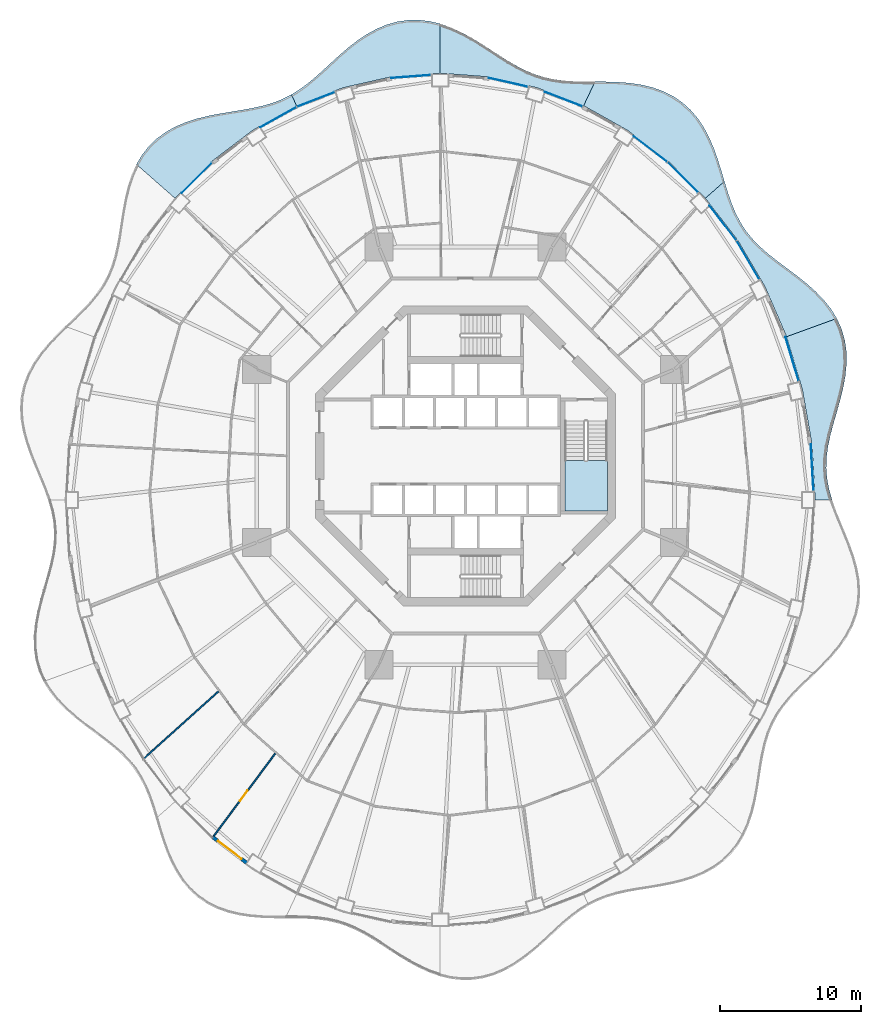
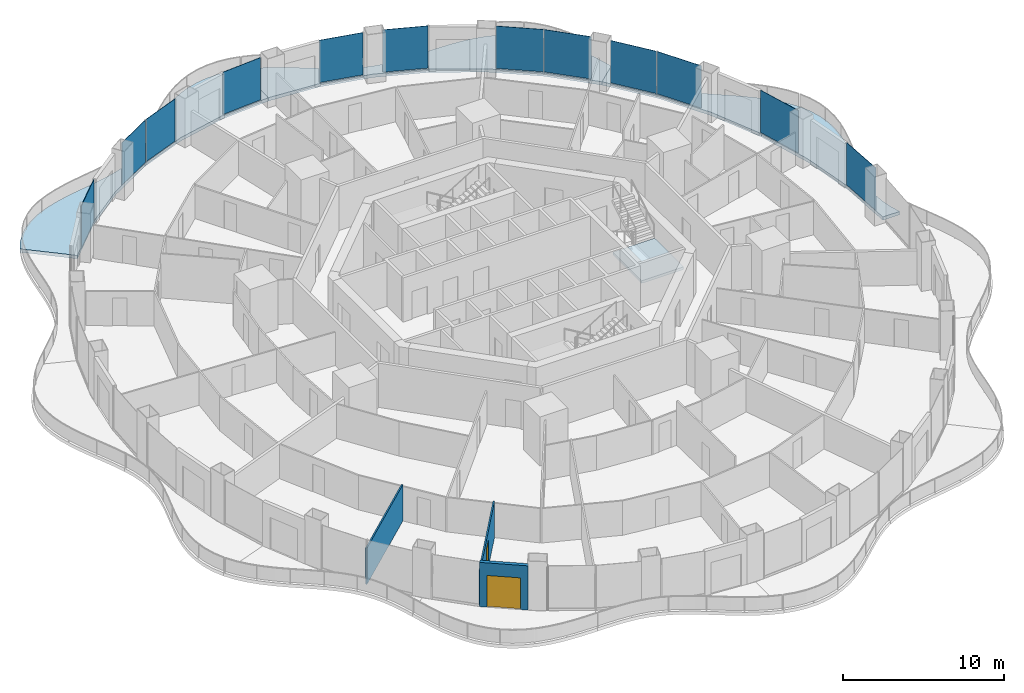
# One storey, part 12 of 21: 12 plates, 7 slabs, 3 walls, 2 doors, 2 openings, 13 elements without a shape of their own.
"""IFC4 building model written with IfcOpenShell, lengths in metres."""

from ifc_helpers import new_model, si_unit, direction, frame, frame_2d, origin, origin_2d, place, context, subcontext, project, spatial, polyline, rectangle, outline, extrude, material, layer, layer_set, type_object, element, fill, aggregate, save


model = new_model("IFC4")

# Units and contexts
model_context = context("Model", 3, precision=1e-05, world=origin(), true_north=direction((0.0, 1.0)))
body_context = subcontext(model_context, "Body", "Model", "MODEL_VIEW")
ifc_project = project(units=[si_unit("LENGTHUNIT", "METRE"), si_unit("AREAUNIT", "SQUARE_METRE"), si_unit("VOLUMEUNIT", "CUBIC_METRE"), si_unit("PLANEANGLEUNIT", "RADIAN"), si_unit("MASSUNIT", "GRAM", prefix="KILO")], contexts=[model_context])

# Site, building, storey
site_placement = place(None, origin())
site = spatial("IfcSite", under=ifc_project, at=site_placement, CompositionType="ELEMENT")
building_placement = place(site_placement, origin())
building = spatial("IfcBuilding", under=site, at=building_placement, Name="Nagisa Residences", CompositionType="ELEMENT")
storey_placement = place(building_placement, frame((0.0, 0.0, 156.60009765625)))
storey = spatial("IfcBuildingStorey", under=building, at=storey_placement, Name="L39", CompositionType="ELEMENT", Elevation=156.60009765625)

# Slabs
ifc_material_1 = material(Name="Concrete C40/50", Category="concrete")
ifc_layer_1 = layer(ifc_material_1, 0.25)
ifc_layer_set_1 = layer_set([ifc_layer_1], Name="BALCONY SLAB 250")
slab_type_1 = type_object("IfcSlabType", Name="BALCONY SLAB 250", PredefinedType="FLOOR", material=ifc_layer_set_1)
slab_1_placement = place(storey_placement, frame((0.0, 0.0, -0.25)))
element("IfcSlab", 1, at=slab_1_placement, inside=storey, type_object=slab_type_1, Name="slab:L39:bal00", PredefinedType="FLOOR", context=body_context, shape_type="SweptSolid", body=[
    extrude(outline(polyline([(25.93603515625, -3.11767578125), (25.71875, -2.359619140625), (25.57666015625, -1.60693359375), (25.516845703125, -0.853515625), (25.541015625, -0.093505859375), (25.642578125, 0.6787109375), (25.809326171875, 1.467529296875), (26.023193359375, 2.275146484375), (26.261474609375, 3.101806640625), (26.499267578125, 3.9453125), (26.710205078125, 4.800537109375), (26.869140625, 5.6611328125), (26.95361328125, 6.5185546875), (26.945068359375, 7.363037109375), (26.830810546875, 8.185546875), (26.603759765625, 8.976806640625), (26.2646484375, 9.7294921875), (22.715087890625, 8.4375), (23.830810546875, 4.697265625), (24.508056640625, 0.823486328125), (24.735107421875, -3.11767578125), (25.93603515625, -3.11767578125)])), origin(), (0.0, 0.0, 1.0), 0.25),
])
slab_2_placement = place(storey_placement, frame((0.0, 0.0, -0.25)))
element("IfcSlab", 2, at=slab_2_placement, inside=storey, type_object=slab_type_1, Name="slab:L39:bal01", PredefinedType="FLOOR", context=body_context, shape_type="SweptSolid", body=[
    extrude(outline(polyline([(26.2646484375, 9.7294921875), (25.835205078125, 10.41748046875), (25.31787109375, 11.0625), (24.729248046875, 11.665283203125), (24.0888671875, 12.229736328125), (23.417724609375, 12.7626953125), (22.738525390625, 13.27294921875), (22.072265625, 13.77197265625), (21.4375, 14.271484375), (20.849853515625, 14.784423828125), (20.3203125, 15.322021484375), (19.854248046875, 15.894775390625), (19.451904296875, 16.51025390625), (19.108642578125, 17.172119140625), (18.814208984375, 17.881103515625), (18.55517578125, 18.63330078125), (18.314453125, 19.4208984375), (16.963134765625, 18.2333984375), (19.251708984375, 15.263916015625), (21.179931640625, 11.979736328125), (22.715087890625, 8.4375), (26.2646484375, 9.7294921875)])), origin(), (0.0, 0.0, 1.0), 0.25),
])
slab_3_placement = place(storey_placement, frame((0.0, 0.0, -0.25)))
element("IfcSlab", 3, at=slab_3_placement, inside=storey, type_object=slab_type_1, Name="slab:L39:bal02", PredefinedType="FLOOR", context=body_context, shape_type="SweptSolid", body=[
    extrude(outline(polyline([(18.314453125, 19.4208984375), (18.08544921875, 20.19384765625), (17.84033203125, 20.975830078125), (17.563720703125, 21.751708984375), (17.241943359375, 22.505859375), (16.86376953125, 23.222412109375), (16.421630859375, 23.886474609375), (15.910888671875, 24.48486328125), (15.331787109375, 25.007080078125), (14.687255859375, 25.4462890625), (13.984375, 25.79931640625), (13.232177734375, 26.068115234375), (12.442138671875, 26.258056640625), (11.627197265625, 26.379638671875), (10.800048828125, 26.446044921875), (9.97314453125, 26.4736328125), (9.15673828125, 26.480712890625), (8.3544921875, 24.77880859375), (11.467529296875, 23.031982421875), (14.353515625, 20.837646484375), (16.963134765625, 18.2333984375), (18.314453125, 19.4208984375)])), origin(), (0.0, 0.0, 1.0), 0.25),
])
slab_4_placement = place(storey_placement, frame((0.0, 0.0, -0.25)))
element("IfcSlab", 4, at=slab_4_placement, inside=storey, type_object=slab_type_1, Name="slab:L39:bal03", PredefinedType="FLOOR", context=body_context, shape_type="SweptSolid", body=[
    extrude(outline(polyline([(9.15673828125, 26.480712890625), (8.387939453125, 26.48583984375), (7.642578125, 26.505859375), (6.92333984375, 26.555908203125), (6.230224609375, 26.6484375), (5.5615234375, 26.792724609375), (4.91259765625, 26.994384765625), (4.27783203125, 27.2548828125), (3.650146484375, 27.571044921875), (3.0224609375, 27.935546875), (2.3876953125, 28.336669921875), (1.739501953125, 28.760009765625), (1.073486328125, 29.1884765625), (0.38623046875, 29.60302734375), (-0.322998046875, 29.984375), (-1.052734375, 30.314453125), (-1.800048828125, 30.576416015625), (-1.800048828125, 27.077392578125), (1.66357421875, 26.819091796875), (5.06787109375, 26.04833984375), (8.3544921875, 24.77880859375), (9.15673828125, 26.480712890625)])), origin(), (0.0, 0.0, 1.0), 0.25),
])
slab_5_placement = place(storey_placement, frame((0.0, 0.0, -0.25)))
element("IfcSlab", 5, at=slab_5_placement, inside=storey, type_object=slab_type_1, Name="slab:L39:bal04", PredefinedType="FLOOR", context=body_context, shape_type="SweptSolid", body=[
    extrude(outline(polyline([(-1.800048828125, 30.576416015625), (-2.559814453125, 30.755859375), (-3.325439453125, 30.8427734375), (-4.090087890625, 30.83056640625), (-4.845947265625, 30.7177734375), (-5.58642578125, 30.5068359375), (-6.30517578125, 30.20556640625), (-6.997802734375, 29.824951171875), (-7.66162109375, 29.37939453125), (-8.296630859375, 28.886474609375), (-8.90478515625, 28.364013671875), (-9.48974609375, 27.8310546875), (-10.057861328125, 27.305908203125), (-10.616943359375, 26.80419921875), (-11.175048828125, 26.34033203125), (-11.7412109375, 25.923828125), (-12.323486328125, 25.5615234375), (-11.95458984375, 24.77880859375), (-8.667724609375, 26.04833984375), (-5.263427734375, 26.819091796875), (-1.800048828125, 27.077392578125), (-1.800048828125, 30.576416015625)])), origin(), (0.0, 0.0, 1.0), 0.25),
])
slab_6_placement = place(storey_placement, frame((0.0, 0.0, -0.25)))
element("IfcSlab", 6, at=slab_6_placement, inside=storey, type_object=slab_type_1, Name="slab:L39:bal05", PredefinedType="FLOOR", context=body_context, shape_type="SweptSolid", body=[
    extrude(outline(polyline([(-12.323486328125, 25.5615234375), (-12.95263671875, 25.2451171875), (-13.613037109375, 24.987060546875), (-14.308349609375, 24.78076171875), (-15.03857421875, 24.614990234375), (-15.80126953125, 24.476318359375), (-16.58984375, 24.3486328125), (-17.395263671875, 24.214599609375), (-18.20556640625, 24.056884765625), (-19.007568359375, 23.85986328125), (-19.78662109375, 23.609619140625), (-20.5283203125, 23.294677734375), (-21.218994140625, 22.907958984375), (-21.847412109375, 22.44580078125), (-22.404541015625, 21.908447265625), (-22.885498046875, 21.30029296875), (-23.28857421875, 20.62841796875), (-20.56298828125, 18.2333984375), (-17.953369140625, 20.837646484375), (-15.0673828125, 23.031982421875), (-11.95458984375, 24.77880859375), (-12.323486328125, 25.5615234375)])), origin(), (0.0, 0.0, 1.0), 0.25),
])

# Curtain wall, plate
ifc_material_2 = material(Name="Concrete-coloured aluminium curtain wall system", Category="concrete")
ifc_layer_2 = layer(ifc_material_2, 0.159912109375)
ifc_layer_set_2 = layer_set([ifc_layer_2], Name="CW1 CURTAIN WALL")
curtain_wall_type = type_object("IfcCurtainWallType", Name="CW1 CURTAIN WALL", PredefinedType="NOTDEFINED", material=ifc_layer_set_2)
curtain_wall_1_placement = place(storey_placement, origin())
curtain_wall_1 = element("IfcCurtainWall", 7, at=curtain_wall_1_placement, inside=storey, type_object=curtain_wall_type, Name="cw:CW1:L39:00", PredefinedType="NOTDEFINED")
ifc_material_3 = material(Name="Clear laminated glass", Category="glass")
ifc_layer_3 = layer(ifc_material_3, 0.028076171875)
ifc_layer_set_3 = layer_set([ifc_layer_3], Name="CW1 GLASS PANEL")
plate_type = type_object("IfcPlateType", Name="CW1 GLASS PANEL", PredefinedType="CURTAIN_PANEL", material=ifc_layer_set_3)
plate_1_placement = place(storey_placement, frame((24.522705078125, -0.822265625, 0.14990234375), z_axis=(0.0, 0.0, 1.0), x_axis=(-0.057503492216, 0.998345305184, 0.0)))
plate_1 = element("IfcPlate", 8, at=plate_1_placement, type_object=plate_type, Name="CW1 panel", PredefinedType="CURTAIN_PANEL", context=body_context, shape_type="SweptSolid", body=[
    extrude(rectangle(XDim=3.287841796875, YDim=0.028076171875, at=origin_2d()), origin(), (0.0, 0.0, 1.0), 3.199951171875),
])
aggregate(curtain_wall_1, [plate_1])

curtain_wall_2_placement = place(storey_placement, origin())
curtain_wall_2 = element("IfcCurtainWall", 9, at=curtain_wall_2_placement, inside=storey, type_object=curtain_wall_type, Name="cw:CW1:L39:02", PredefinedType="NOTDEFINED")
plate_2_placement = place(storey_placement, frame((23.10205078125, 6.86083984375, 0.14990234375), z_axis=(0.0, 0.0, 1.0), x_axis=(-0.285860274038, 0.958271310082, 0.0)))
plate_2 = element("IfcPlate", 10, at=plate_2_placement, type_object=plate_type, Name="CW1 panel", PredefinedType="CURTAIN_PANEL", context=body_context, shape_type="SweptSolid", body=[
    extrude(rectangle(XDim=3.242919921875, YDim=0.028076171875, at=origin_2d()), origin(), (0.0, 0.0, 1.0), 3.199951171875),
])
aggregate(curtain_wall_2, [plate_2])

curtain_wall_3_placement = place(storey_placement, origin())
curtain_wall_3 = element("IfcCurtainWall", 11, at=curtain_wall_3_placement, inside=storey, type_object=curtain_wall_type, Name="cw:CW1:L39:04", PredefinedType="NOTDEFINED")
plate_3_placement = place(storey_placement, frame((19.979736328125, 13.865966796875, 0.14990234375), z_axis=(0.0, 0.0, 1.0), x_axis=(-0.506348567002, 0.862328898214, 0.0)))
plate_3 = element("IfcPlate", 12, at=plate_3_placement, type_object=plate_type, Name="CW1 panel", PredefinedType="CURTAIN_PANEL", context=body_context, shape_type="SweptSolid", body=[
    extrude(rectangle(XDim=3.1484375, YDim=0.028076171875, at=origin_2d()), origin(), (0.0, 0.0, 1.0), 3.199951171875),
])
aggregate(curtain_wall_3, [plate_3])

curtain_wall_4_placement = place(storey_placement, origin())
curtain_wall_4 = element("IfcCurtainWall", 13, at=curtain_wall_4_placement, inside=storey, type_object=curtain_wall_type, Name="cw:CW1:L39:05", PredefinedType="NOTDEFINED")
plate_4_placement = place(storey_placement, frame((18.208740234375, 16.48583984375, 0.14990234375), z_axis=(0.0, 0.0, 1.0), x_axis=(-0.610429828235, 0.792070340816, 0.0)))
plate_4 = element("IfcPlate", 14, at=plate_4_placement, type_object=plate_type, Name="CW1 panel", PredefinedType="CURTAIN_PANEL", context=body_context, shape_type="SweptSolid", body=[
    extrude(rectangle(XDim=3.089111328125, YDim=0.028076171875, at=origin_2d()), origin(), (0.0, 0.0, 1.0), 3.199951171875),
])
aggregate(curtain_wall_4, [plate_4])

curtain_wall_5_placement = place(storey_placement, origin())
curtain_wall_5 = element("IfcCurtainWall", 15, at=curtain_wall_5_placement, inside=storey, type_object=curtain_wall_type, Name="cw:CW1:L39:06", PredefinedType="NOTDEFINED")
plate_5_placement = place(storey_placement, frame((15.3681640625, 19.7119140625, 0.14990234375), z_axis=(0.0, 0.0, 1.0), x_axis=(-0.707835924016, 0.706376885714, 0.0)))
plate_5 = element("IfcPlate", 16, at=plate_5_placement, type_object=plate_type, Name="CW1 panel", PredefinedType="CURTAIN_PANEL", context=body_context, shape_type="SweptSolid", body=[
    extrude(rectangle(XDim=3.026611328125, YDim=0.028076171875, at=origin_2d()), origin(), (0.0, 0.0, 1.0), 3.199951171875),
])
aggregate(curtain_wall_5, [plate_5])

curtain_wall_6_placement = place(storey_placement, origin())
curtain_wall_6 = element("IfcCurtainWall", 17, at=curtain_wall_6_placement, inside=storey, type_object=curtain_wall_type, Name="cw:CW1:L39:07", PredefinedType="NOTDEFINED")
plate_6_placement = place(storey_placement, frame((13.076904296875, 21.707763671875, 0.14990234375), z_axis=(0.0, 0.0, 1.0), x_axis=(-0.79603132756, 0.605255421737, 0.0)))
plate_6 = element("IfcPlate", 18, at=plate_6_placement, type_object=plate_type, Name="CW1 panel", PredefinedType="CURTAIN_PANEL", context=body_context, shape_type="SweptSolid", body=[
    extrude(rectangle(XDim=2.965576171875, YDim=0.028076171875, at=origin_2d()), origin(), (0.0, 0.0, 1.0), 3.199951171875),
])
aggregate(curtain_wall_6, [plate_6])

curtain_wall_7_placement = place(storey_placement, origin())
curtain_wall_7 = element("IfcCurtainWall", 19, at=curtain_wall_7_placement, inside=storey, type_object=curtain_wall_type, Name="cw:CW1:L39:09", PredefinedType="NOTDEFINED")
plate_7_placement = place(storey_placement, frame((6.93408203125, 25.24169921875, 0.14990234375), z_axis=(0.0, 0.0, 1.0), x_axis=(-0.932825759707, 0.360327770268, 0.0)))
plate_7 = element("IfcPlate", 20, at=plate_7_placement, type_object=plate_type, Name="CW1 panel", PredefinedType="CURTAIN_PANEL", context=body_context, shape_type="SweptSolid", body=[
    extrude(rectangle(XDim=2.863525390625, YDim=0.028076171875, at=origin_2d()), origin(), (0.0, 0.0, 1.0), 3.199951171875),
])
aggregate(curtain_wall_7, [plate_7])

curtain_wall_8_placement = place(storey_placement, origin())
curtain_wall_8 = element("IfcCurtainWall", 21, at=curtain_wall_8_placement, inside=storey, type_object=curtain_wall_type, Name="cw:CW1:L39:10", PredefinedType="NOTDEFINED")
plate_8_placement = place(storey_placement, frame((3.026123046875, 26.428466796875, 0.14990234375), z_axis=(0.0, 0.0, 1.0), x_axis=(-0.975327274089, 0.2207639201, 0.0)))
plate_8 = element("IfcPlate", 22, at=plate_8_placement, type_object=plate_type, Name="CW1 panel", PredefinedType="CURTAIN_PANEL", context=body_context, shape_type="SweptSolid", body=[
    extrude(rectangle(XDim=2.830322265625, YDim=0.028076171875, at=origin_2d()), origin(), (0.0, 0.0, 1.0), 3.199951171875),
])
aggregate(curtain_wall_8, [plate_8])

curtain_wall_9_placement = place(storey_placement, origin())
curtain_wall_9 = element("IfcCurtainWall", 23, at=curtain_wall_9_placement, inside=storey, type_object=curtain_wall_type, Name="cw:CW1:L39:12", PredefinedType="NOTDEFINED")
plate_9_placement = place(storey_placement, frame((-3.85498046875, 26.84375, 0.14990234375), z_axis=(0.0, 0.0, 1.0), x_axis=(-0.997230168512, -0.074377355493, 0.0)))
plate_9 = element("IfcPlate", 24, at=plate_9_placement, type_object=plate_type, Name="CW1 panel", PredefinedType="CURTAIN_PANEL", context=body_context, shape_type="SweptSolid", body=[
    extrude(rectangle(XDim=2.813232421875, YDim=0.028076171875, at=origin_2d()), origin(), (0.0, 0.0, 1.0), 3.199951171875),
])
aggregate(curtain_wall_9, [plate_9])

curtain_wall_10_placement = place(storey_placement, origin())
curtain_wall_10 = element("IfcCurtainWall", 25, at=curtain_wall_10_placement, inside=storey, type_object=curtain_wall_type, Name="cw:CW1:L39:14", PredefinedType="NOTDEFINED")
plate_10_placement = place(storey_placement, frame((-10.590087890625, 25.22021484375, 0.14990234375), z_axis=(0.0, 0.0, 1.0), x_axis=(-0.932825759707, -0.360327770268, 0.0)))
plate_10 = element("IfcPlate", 26, at=plate_10_placement, type_object=plate_type, Name="CW1 panel", PredefinedType="CURTAIN_PANEL", context=body_context, shape_type="SweptSolid", body=[
    extrude(rectangle(XDim=2.863525390625, YDim=0.028076171875, at=origin_2d()), origin(), (0.0, 0.0, 1.0), 3.199951171875),
])
aggregate(curtain_wall_10, [plate_10])

curtain_wall_11_placement = place(storey_placement, origin())
curtain_wall_11 = element("IfcCurtainWall", 27, at=curtain_wall_11_placement, inside=storey, type_object=curtain_wall_type, Name="cw:CW1:L39:15", PredefinedType="NOTDEFINED")
plate_11_placement = place(storey_placement, frame((-13.236328125, 23.9677734375, 0.14990234375), z_axis=(0.0, 0.0, 1.0), x_axis=(-0.872072377523, -0.489376918501, 0.0)))
plate_11 = element("IfcPlate", 28, at=plate_11_placement, type_object=plate_type, Name="CW1 panel", PredefinedType="CURTAIN_PANEL", context=body_context, shape_type="SweptSolid", body=[
    extrude(rectangle(XDim=2.90966796875, YDim=0.028076171875, at=origin_2d()), origin(), (0.0, 0.0, 1.0), 3.199951171875),
])
aggregate(curtain_wall_11, [plate_11])

curtain_wall_12_placement = place(storey_placement, origin())
curtain_wall_12 = element("IfcCurtainWall", 29, at=curtain_wall_12_placement, inside=storey, type_object=curtain_wall_type, Name="cw:CW1:L39:17", PredefinedType="NOTDEFINED")
plate_12_placement = place(storey_placement, frame((-19.0107421875, 19.669677734375, 0.14990234375), z_axis=(0.0, 0.0, 1.0), x_axis=(-0.707835924016, -0.706376885714, 0.0)))
plate_12 = element("IfcPlate", 30, at=plate_12_placement, type_object=plate_type, Name="CW1 panel", PredefinedType="CURTAIN_PANEL", context=body_context, shape_type="SweptSolid", body=[
    extrude(rectangle(XDim=3.026611328125, YDim=0.028076171875, at=origin_2d()), origin(), (0.0, 0.0, 1.0), 3.199951171875),
])
aggregate(curtain_wall_12, [plate_12])

# Stair, slab
ifc_material_4 = material(Name="Concrete C60", Category="concrete")
stair_type = type_object("IfcStairType", Name="Exit stair", PredefinedType="HALF_TURN_STAIR", material=ifc_material_4)
stair_placement = place(storey_placement, origin())
stair = element("IfcStair", 31, at=stair_placement, inside=storey, type_object=stair_type, Name="L39 Exit stair E", PredefinedType="HALF_TURN_STAIR")
ifc_material_5 = material(Name="Concrete C60", Category="concrete")
ifc_layer_4 = layer(ifc_material_5, 0.199951171875)
ifc_layer_set_4 = layer_set([ifc_layer_4], Name="Stair landing")
slab_type_2 = type_object("IfcSlabType", Name="Stair landing", PredefinedType="LANDING", material=ifc_layer_set_4)
slab_7_placement = place(storey_placement, frame((0.0, 0.0, 1.64990234375)))
slab_7 = element("IfcSlab", 32, at=slab_7_placement, type_object=slab_type_2, Name="ST-E landing 1", PredefinedType="LANDING", context=body_context, shape_type="SweptSolid", body=[
    extrude(outline(polyline([(7.024658203125, -0.324951171875), (7.024658203125, -3.89990234375), (10.024658203125, -3.89990234375), (10.024658203125, -0.324951171875), (7.024658203125, -0.324951171875)])), origin(), (0.0, 0.0, 1.0), 0.199951171875),
])
aggregate(stair, [slab_7])

# Wall
ifc_material_6 = material(Name="Gypsum board on steel studs", Category="steel")
ifc_layer_5 = layer(ifc_material_6, 0.10009765625)
ifc_layer_set_5 = layer_set([ifc_layer_5], Name="Apartment partition 100")
wall_type_1 = type_object("IfcWallType", Name="Apartment partition 100", PredefinedType="PARTITIONING", material=ifc_layer_set_5)
wall_1_placement = place(storey_placement, frame((-17.4697265625, -16.6416015625, 0.0), z_axis=(0.0, 0.0, 1.0), x_axis=(-0.742345465337, -0.670017320742, 0.0)))
element("IfcWall", 33, at=wall_1_placement, inside=storey, type_object=wall_type_1, Name="wall:L39:u64", PredefinedType="PARTITIONING", context=body_context, shape_type="SweptSolid", body=[
    extrude(rectangle(XDim=7.2099609375, YDim=0.10009765625, at=frame_2d((3.60498046875, 0.0))), origin(), (0.0, 0.0, 1.0), 2.746826171875),
])

# Wall, opening, door
wall_2_placement = place(storey_placement, frame((-13.4541015625, -21.0400390625, 0.0), z_axis=(0.0, 0.0, 1.0), x_axis=(-0.597848033124, -0.801609461826, 0.0)))
wall_2 = element("IfcWall", 34, at=wall_2_placement, inside=storey, type_object=wall_type_1, Name="wall:L39:u67", PredefinedType="PARTITIONING", context=body_context, shape_type="SweptSolid", body=[
    extrude(rectangle(XDim=7.486083984375, YDim=0.10009765625, at=frame_2d((3.7431640625, 0.0))), origin(), (0.0, 0.0, 1.0), 2.746826171875),
])
opening_1_placement = place(wall_2_placement, frame((3.29296875, 0.0, 0.0)))
opening_1 = element("IfcOpeningElement", 35, at=opening_1_placement, cuts=wall_2, Name="Opening L39-U55", PredefinedType="OPENING", context=body_context, shape_type="SweptSolid", body=[
    extrude(rectangle(XDim=0.89990234375, YDim=2.10009765625, at=frame_2d((0.449951171875, 1.050048828125))), frame((0.0, 0.06005859375, 0.0), z_axis=(0.0, -1.0, 0.0), x_axis=(1.0, 0.0, 0.0)), (0.0, 0.0, 1.0), 0.1201171875),
])
ifc_material_7 = material(Name="Timber door set", Category="wood")
door_type_1 = type_object("IfcDoorType", Name="Apartment door 900x2100", OperationType="NOTDEFINED", PredefinedType="DOOR", material=ifc_material_7)
door_1_placement = place(opening_1_placement, origin())
door_1 = element("IfcDoor", 36, at=door_1_placement, inside=storey, type_object=door_type_1, Name="Door to master bedroom, Apartment 39F", OperationType="SINGLE_SWING_LEFT", OverallHeight=2.10009765625, OverallWidth=0.89990234375, PredefinedType="DOOR", context=body_context, shape_type="SweptSolid", body=[
    extrude(rectangle(XDim=0.89990234375, YDim=2.10009765625, at=frame_2d((0.449951171875, 1.050048828125))), frame((0.0, 0.02490234375, 0.0), z_axis=(0.0, -1.0, 0.0), x_axis=(1.0, 0.0, 0.0)), (0.0, 0.0, 1.0), 0.050048828125),
])
fill(opening_1, door_1)

ifc_material_8 = material(Name="Precast concrete C40/50", Category="concrete")
ifc_layer_6 = layer(ifc_material_8, 0.25)
ifc_layer_set_6 = layer_set([ifc_layer_6], Name="BALCONY DOOR WALL 250")
wall_type_2 = type_object("IfcWallType", Name="BALCONY DOOR WALL 250", PredefinedType="SOLIDWALL", material=ifc_layer_set_6)
wall_3_placement = place(storey_placement, frame((-15.469482421875, -28.8046875, 0.0), z_axis=(0.0, 0.0, 1.0), x_axis=(-0.796022231079, 0.605267385233, 0.0)))
wall_3 = element("IfcWall", 37, at=wall_3_placement, inside=storey, type_object=wall_type_2, Name="wall:L39:bay31", PredefinedType="SOLIDWALL", context=body_context, shape_type="SweptSolid", body=[
    extrude(rectangle(XDim=3.025634765625, YDim=0.25, at=frame_2d((1.5126953125, 0.0))), origin(), (0.0, 0.0, 1.0), 3.349853515625),
])
opening_2_placement = place(wall_3_placement, frame((0.462646484375, 0.0, 0.0)))
opening_2 = element("IfcOpeningElement", 38, at=opening_2_placement, cuts=wall_3, Name="Opening BD-L39-11", PredefinedType="OPENING", context=body_context, shape_type="SweptSolid", body=[
    extrude(rectangle(XDim=2.10009765625, YDim=2.39990234375, at=frame_2d((1.050048828125, 1.199951171875))), frame((0.0, 0.135009765625, 0.0), z_axis=(0.0, -1.0, 0.0), x_axis=(1.0, 0.0, 0.0)), (0.0, 0.0, 1.0), 0.27001953125),
])
ifc_material_9 = material(Name="Aluminium and clear glass", Category="aluminium")
door_type_2 = type_object("IfcDoorType", Name="BALCONY SLIDING DOOR 2100x2400", OperationType="SLIDING_TO_LEFT", PredefinedType="DOOR", material=ifc_material_9)
door_2_placement = place(opening_2_placement, origin())
door_2 = element("IfcDoor", 39, at=door_2_placement, inside=storey, type_object=door_type_2, Name="door:L39:bay31", OperationType="SLIDING_TO_LEFT", OverallHeight=2.39990234375, OverallWidth=2.10009765625, PredefinedType="DOOR", context=body_context, shape_type="SweptSolid", body=[
    extrude(rectangle(XDim=2.10009765625, YDim=2.39990234375, at=frame_2d((1.050048828125, 1.199951171875))), frame((0.0, 0.02490234375, 0.0), z_axis=(0.0, -1.0, 0.0), x_axis=(1.0, 0.0, 0.0)), (0.0, 0.0, 1.0), 0.050048828125),
])
fill(opening_2, door_2)

save(model, "model.ifc")
